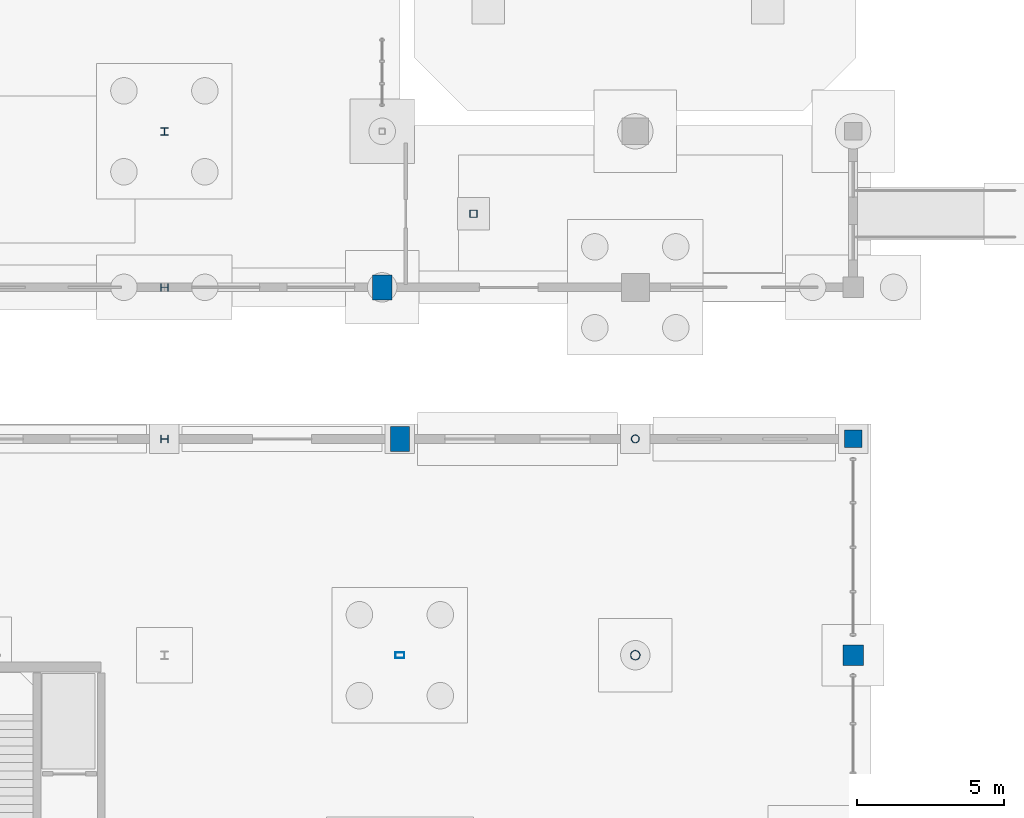
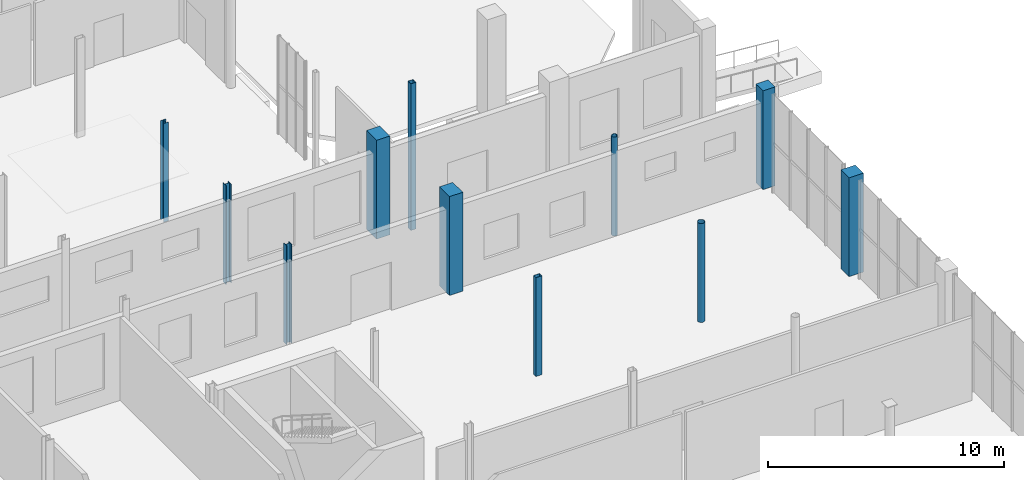
# One storey, part 29 of 87: 11 columns.
"""IFC4 building model written with IfcOpenShell, lengths in metres."""

from ifc_helpers import new_model, si_unit, direction, frame, origin, origin_2d, place, context, subcontext, project, spatial, rectangle, hollow_rectangle, hollow_circle, i_section, extrude, material, material_profile, profile_set, type_object, element, save


model = new_model("IFC4")

# Units and contexts
model_context = context("Model", 3, precision=1e-05, world=origin(), true_north=direction((0.0, 1.0)))
body_context = subcontext(model_context, "Body", "Model", "MODEL_VIEW")
ifc_project = project(units=[si_unit("LENGTHUNIT", "METRE"), si_unit("AREAUNIT", "SQUARE_METRE"), si_unit("VOLUMEUNIT", "CUBIC_METRE"), si_unit("PLANEANGLEUNIT", "RADIAN"), si_unit("MASSUNIT", "GRAM", prefix="KILO")], contexts=[model_context])

# Site, building, storey
site_placement = place(None, origin())
site = spatial("IfcSite", under=ifc_project, at=site_placement, CompositionType="ELEMENT")
building_placement = place(site_placement, origin())
building = spatial("IfcBuilding", under=site, at=building_placement, Name="Brisemont Oceanarium", CompositionType="ELEMENT")
storey_placement = place(building_placement, origin())
storey = spatial("IfcBuildingStorey", under=building, at=storey_placement, Name="L00", CompositionType="ELEMENT", Elevation=0.0)

# Columns
ifc_material_1 = material(Name="Structural Steel ASTM A500 Gr.C", Category="steel")
ifc_material_profile_1 = material_profile(ifc_material_1, hollow_circle(Radius=0.136474609375, WallThickness=0.01171875, at=origin_2d()), Name="HSS10.750X0.500")
ifc_profile_set_1 = profile_set([ifc_material_profile_1], Name="Structural Steel ASTM A500 Gr.C")
column_type_1 = type_object("IfcColumnType", Name="COL-CHS10", PredefinedType="COLUMN", material=ifc_profile_set_1)
column_1_placement = place(storey_placement, frame((152.0, 31.35009765625, 0.0), z_axis=(0.0, 0.0, 1.0), x_axis=(0.0, 1.0, 0.0)))
element("IfcColumn", 1, at=column_1_placement, inside=storey, type_object=column_type_1, Name="V3 L00 column (5,4)", PredefinedType="COLUMN", context=body_context, shape_type="SweptSolid", body=[
    extrude(hollow_circle(Radius=0.136474609375, WallThickness=0.01171875, at=origin_2d()), origin(), (0.0, 0.0, 1.0), 5.1201171875),
])
ifc_material_2 = material(Name="Structural Steel ASTM A500 Gr.C", Category="steel")
ifc_material_profile_2 = material_profile(ifc_material_2, hollow_circle(Radius=0.162109375, WallThickness=0.01171875, at=origin_2d()), Name="HSS12.750X0.500")
ifc_profile_set_2 = profile_set([ifc_material_profile_2], Name="Structural Steel ASTM A500 Gr.C")
column_type_2 = type_object("IfcColumnType", Name="COL-CHS12", PredefinedType="COLUMN", material=ifc_profile_set_2)
column_2_placement = place(storey_placement, frame((152.0, 24.0, 0.0), z_axis=(0.0, 0.0, 1.0), x_axis=(1.0, 0.0, 0.0)))
element("IfcColumn", 2, at=column_2_placement, inside=storey, type_object=column_type_2, Name="V3 L00 column (5,3)", PredefinedType="COLUMN", context=body_context, shape_type="SweptSolid", body=[
    extrude(hollow_circle(Radius=0.162109375, WallThickness=0.01171875, at=origin_2d()), origin(), (0.0, 0.0, 1.0), 5.1201171875),
])
ifc_material_3 = material(Name="Structural Steel ASTM A500 Gr.C", Category="steel")
ifc_material_profile_3 = material_profile(ifc_material_3, hollow_rectangle(XDim=0.25390625, YDim=0.25390625, WallThickness=0.01171875, InnerFilletRadius=0.01220703125, OuterFilletRadius=0.02392578125, at=origin_2d()), Name="HSS10X10X1/2")
ifc_profile_set_3 = profile_set([ifc_material_profile_3], Name="Structural Steel ASTM A500 Gr.C")
column_type_3 = type_object("IfcColumnType", Name="COL-HSS10X10", PredefinedType="COLUMN", material=ifc_profile_set_3)
column_3_placement = place(storey_placement, frame((146.5, 39.0, -2.39990234375), z_axis=(0.0, 0.0, 1.0), x_axis=(1.0, 0.0, 0.0)))
element("IfcColumn", 3, at=column_3_placement, inside=storey, type_object=column_type_3, Name="V5E loggia pier 1", PredefinedType="COLUMN", context=body_context, shape_type="SweptSolid", body=[
    extrude(hollow_rectangle(XDim=0.25390625, YDim=0.25390625, WallThickness=0.01171875, InnerFilletRadius=0.01220703125, OuterFilletRadius=0.02392578125, at=origin_2d()), origin(), (0.0, 0.0, 1.0), 7.58984375),
])
ifc_material_4 = material(Name="Structural Steel ASTM A500 Gr.C", Category="steel")
ifc_material_profile_4 = material_profile(ifc_material_4, hollow_rectangle(XDim=0.202880859375, YDim=0.304931640625, WallThickness=0.0087890625, InnerFilletRadius=0.009033203125, OuterFilletRadius=0.01806640625, at=origin_2d()), Name="HSS12X8X3/8")
ifc_profile_set_4 = profile_set([ifc_material_profile_4], Name="Structural Steel ASTM A500 Gr.C")
column_type_4 = type_object("IfcColumnType", Name="COL-HSS12X8", PredefinedType="COLUMN", material=ifc_profile_set_4)
column_4_placement = place(storey_placement, frame((144.0, 24.0, 0.0), z_axis=(0.0, 0.0, 1.0), x_axis=(0.0, 1.0, 0.0)))
element("IfcColumn", 4, at=column_4_placement, inside=storey, type_object=column_type_4, Name="V3 L00 column (4,3)", PredefinedType="COLUMN", context=body_context, shape_type="SweptSolid", body=[
    extrude(hollow_rectangle(XDim=0.202880859375, YDim=0.304931640625, WallThickness=0.0087890625, InnerFilletRadius=0.009033203125, OuterFilletRadius=0.01806640625, at=origin_2d()), origin(), (0.0, 0.0, 1.0), 5.1201171875),
])
ifc_material_5 = material(Name="Concrete C35/45", Category="concrete")
ifc_material_profile_5 = material_profile(ifc_material_5, rectangle(XDim=0.60009765625, YDim=0.60009765625, at=origin_2d()), Name="RC-COL-600X600")
ifc_profile_set_5 = profile_set([ifc_material_profile_5], Name="Concrete C35/45")
column_type_5 = type_object("IfcColumnType", Name="COL-RC600", PredefinedType="COLUMN", material=ifc_profile_set_5)
column_5_placement = place(storey_placement, frame((159.39990234375, 31.35009765625, 0.0), z_axis=(0.0, 0.0, 1.0), x_axis=(1.0, 0.0, 0.0)))
element("IfcColumn", 5, at=column_5_placement, inside=storey, type_object=column_type_5, Name="V3 L00 column (6,4)", PredefinedType="COLUMN", context=body_context, shape_type="SweptSolid", body=[
    extrude(rectangle(XDim=0.60009765625, YDim=0.60009765625, at=origin_2d()), origin(), (0.0, 0.0, 1.0), 5.1201171875),
])
ifc_material_6 = material(Name="Concrete C35/45", Category="concrete")
ifc_material_profile_6 = material_profile(ifc_material_6, rectangle(XDim=0.699951171875, YDim=0.699951171875, at=origin_2d()), Name="RC-COL-700X700")
ifc_profile_set_6 = profile_set([ifc_material_profile_6], Name="Concrete C35/45")
column_type_6 = type_object("IfcColumnType", Name="COL-RC700", PredefinedType="COLUMN", material=ifc_profile_set_6)
column_6_placement = place(storey_placement, frame((159.39990234375, 24.0, 0.0), z_axis=(0.0, 0.0, 1.0), x_axis=(0.0, 1.0, 0.0)))
element("IfcColumn", 6, at=column_6_placement, inside=storey, type_object=column_type_6, Name="V3 L00 column (6,3)", PredefinedType="COLUMN", context=body_context, shape_type="SweptSolid", body=[
    extrude(rectangle(XDim=0.699951171875, YDim=0.699951171875, at=origin_2d()), origin(), (0.0, 0.0, 1.0), 5.1201171875),
])
ifc_material_7 = material(Name="Structural Steel ASTM A992 Gr.50", Category="steel")
ifc_material_profile_7 = material_profile(ifc_material_7, i_section(OverallWidth=0.25390625, OverallDepth=0.25390625, WebThickness=0.008544921875, FlangeThickness=0.01416015625, FilletRadius=0.010986328125, at=origin_2d()), Name="W10X49")
ifc_profile_set_7 = profile_set([ifc_material_profile_7], Name="Structural Steel ASTM A992 Gr.50")
column_type_7 = type_object("IfcColumnType", Name="COL-W10X49", PredefinedType="COLUMN", material=ifc_profile_set_7)
for number, where, z_axis, x_axis, name in (
    (7, (136.0, 31.35009765625, 0.0), (0.0, 0.0, 1.0), (0.0, 1.0, 0.0), "V3 L00 column (3,4)"),
    (8, (136.0, 41.800048828125, 0.0), (0.0, 0.0, 1.0), (1.0, 0.0, 0.0), "V5E L00 column (3,1)"),
):
    element("IfcColumn", number, at=place(storey_placement, frame(where, z_axis=z_axis, x_axis=x_axis)), inside=storey, type_object=column_type_7, Name=name, PredefinedType="COLUMN", context=body_context, shape_type="SweptSolid", body=[
        extrude(i_section(OverallWidth=0.25390625, OverallDepth=0.25390625, WebThickness=0.008544921875, FlangeThickness=0.01416015625, FilletRadius=0.010986328125, at=origin_2d()), origin(), (0.0, 0.0, 1.0), 5.1201171875),
    ])
ifc_material_8 = material(Name="Structural Steel ASTM A992 Gr.50", Category="steel")
ifc_material_profile_8 = material_profile(ifc_material_8, i_section(OverallWidth=0.256103515625, OverallDepth=0.260009765625, WebThickness=0.0107421875, FlangeThickness=0.017333984375, FilletRadius=0.010986328125, at=origin_2d()), Name="W10X60")
ifc_profile_set_8 = profile_set([ifc_material_profile_8], Name="Structural Steel ASTM A992 Gr.50")
column_type_8 = type_object("IfcColumnType", Name="COL-W10X60", PredefinedType="COLUMN", material=ifc_profile_set_8)
column_7_placement = place(storey_placement, frame((136.0, 36.5, 0.0), z_axis=(0.0, 0.0, 1.0), x_axis=(0.0, 1.0, 0.0)))
element("IfcColumn", 9, at=column_7_placement, inside=storey, type_object=column_type_8, Name="V5E L00 column (3,0)", PredefinedType="COLUMN", context=body_context, shape_type="SweptSolid", body=[
    extrude(i_section(OverallWidth=0.256103515625, OverallDepth=0.260009765625, WebThickness=0.0107421875, FlangeThickness=0.017333984375, FilletRadius=0.010986328125, at=origin_2d()), origin(), (0.0, 0.0, 1.0), 5.1201171875),
])
ifc_material_9 = material(Name="Precast Concrete C40/50", Category="concrete")
ifc_material_profile_9 = material_profile(ifc_material_9, rectangle(XDim=0.64990234375, YDim=0.85009765625, at=origin_2d()), Name="RC-PIL-650X850")
ifc_profile_set_9 = profile_set([ifc_material_profile_9], Name="Precast Concrete C40/50")
column_type_9 = type_object("IfcColumnType", Name="PIL-RC650X850", PredefinedType="PILASTER", material=ifc_profile_set_9)
for number, where, z_axis, x_axis, name in (
    (10, (144.0, 31.35009765625, 0.0), (0.0, 0.0, 1.0), (1.0, 0.0, 0.0), "V3 L00 column (4,4)"),
    (11, (143.39990234375, 36.5, 0.0), (0.0, 0.0, 1.0), (1.0, 0.0, 0.0), "V5E L00 column (4,0)"),
):
    element("IfcColumn", number, at=place(storey_placement, frame(where, z_axis=z_axis, x_axis=x_axis)), inside=storey, type_object=column_type_9, Name=name, PredefinedType="PILASTER", context=body_context, shape_type="SweptSolid", body=[
        extrude(rectangle(XDim=0.64990234375, YDim=0.85009765625, at=origin_2d()), origin(), (0.0, 0.0, 1.0), 5.1201171875),
    ])

save(model, "model.ifc")
